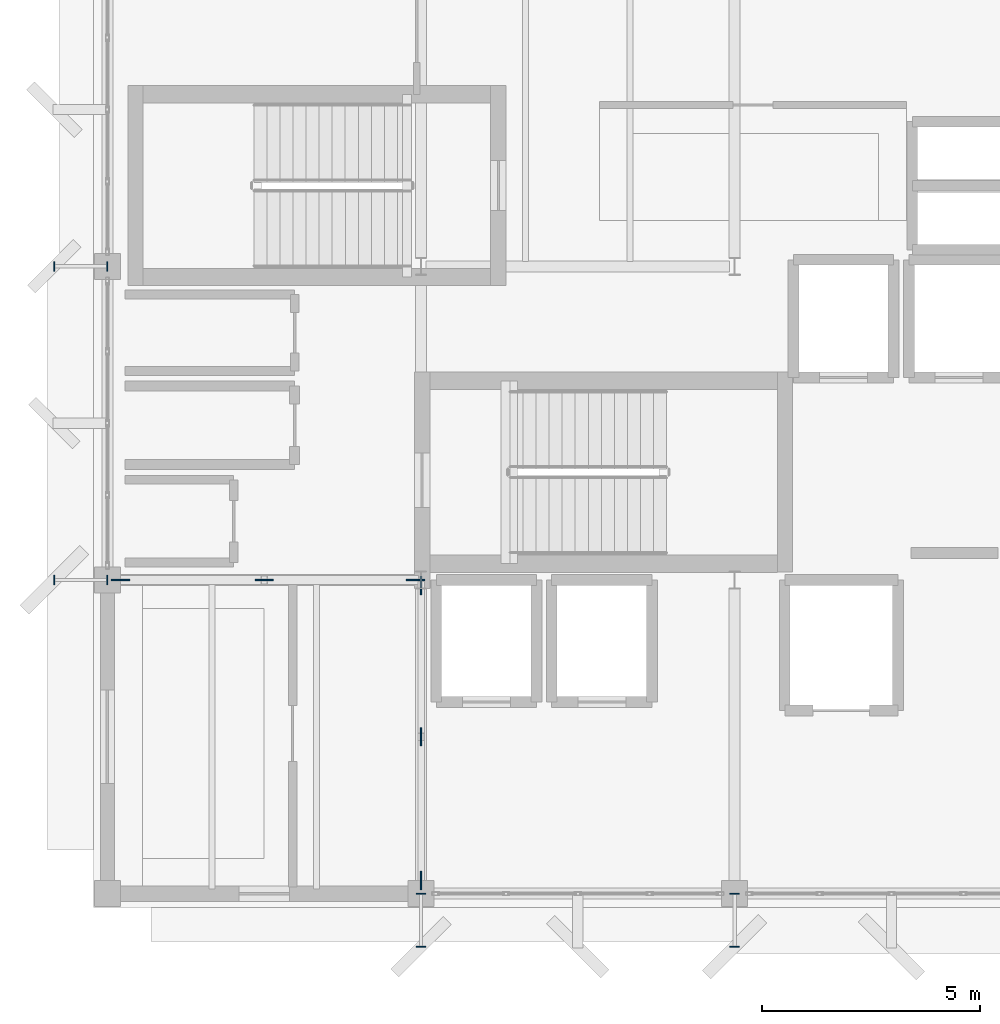
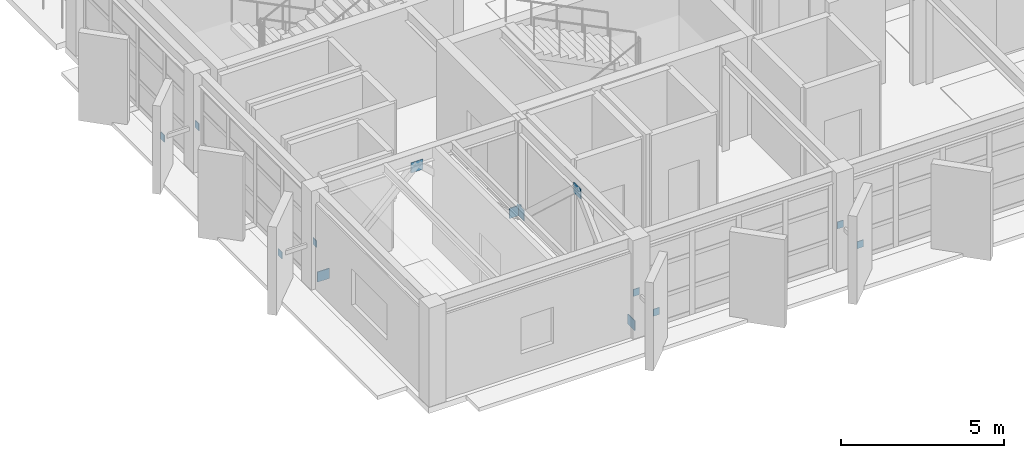
# One storey, part 13 of 16: 14 discrete accessories.
"""IFC4 building model written with IfcOpenShell, lengths in metres."""

from ifc_helpers import new_model, si_unit, direction, frame, origin, origin_2d, place, context, subcontext, project, spatial, rectangle, extrude, material, type_object, element, save


model = new_model("IFC4")

# Units and contexts
model_context = context("Model", 3, precision=1e-05, world=origin(), true_north=direction((0.0, 1.0)))
body_context = subcontext(model_context, "Body", "Model", "MODEL_VIEW")
ifc_project = project(units=[si_unit("LENGTHUNIT", "METRE"), si_unit("AREAUNIT", "SQUARE_METRE"), si_unit("VOLUMEUNIT", "CUBIC_METRE"), si_unit("PLANEANGLEUNIT", "RADIAN"), si_unit("MASSUNIT", "GRAM", prefix="KILO")], contexts=[model_context])

# Site, building, storey
site_placement = place(None, origin())
site = spatial("IfcSite", under=ifc_project, at=site_placement, CompositionType="ELEMENT")
building_placement = place(site_placement, origin())
building = spatial("IfcBuilding", under=site, at=building_placement, Name="Kandorven Conservatory and Botanical Research Centre", CompositionType="ELEMENT")
storey_placement = place(building_placement, frame((0.0, 0.0, 44.39990234375)))
storey = spatial("IfcBuildingStorey", under=building, at=storey_placement, Name="L11", CompositionType="ELEMENT", Elevation=44.39990234375)

# Discrete accessories
ifc_material_1 = material(Name="Steel S355 (IS 2062 E350)", Category="steel")
discrete_accessory_type_1 = type_object("IfcDiscreteAccessoryType", Name="BraceGussetPlate", PredefinedType="BRACKET", material=ifc_material_1)
for number, where, z_axis, x_axis, name in (
    (1, (6.300048828125, 13.199951171875, -0.009765625), (0.0, 0.0, 1.0), (1.0, 0.0, 0.0), "Welded chevron brace gusset plate L11 X-W"),
    (2, (9.60009765625, 13.199951171875, 2.91015625), (0.0, 0.0, 1.0), (1.0, 0.0, 0.0), "Welded chevron brace gusset plate L11 X-M"),
    (3, (13.074951171875, 13.199951171875, -0.009765625), (0.0, 0.0, 1.0), (1.0, 0.0, 0.0), "Welded chevron brace gusset plate L11 X-E"),
):
    element("IfcDiscreteAccessory", number, at=place(storey_placement, frame(where, z_axis=z_axis, x_axis=x_axis)), inside=storey, type_object=discrete_accessory_type_1, Name=name, PredefinedType="BRACKET", context=body_context, shape_type="SweptSolid", body=[
        extrude(rectangle(XDim=0.419921875, YDim=0.028076171875, at=origin_2d()), origin(), (0.0, 0.0, 1.0), 0.3798828125),
    ])
for number, where, z_axis, x_axis, name in (
    (4, (13.199951171875, 6.300048828125, -0.009765625), (0.0, 0.0, 1.0), (1.0, 0.0, 0.0), "Welded chevron brace gusset plate L11 Y-S"),
    (5, (13.199951171875, 9.60009765625, 2.91015625), (0.0, 0.0, 1.0), (1.0, 0.0, 0.0), "Welded chevron brace gusset plate L11 Y-M"),
    (6, (13.199951171875, 13.074951171875, -0.009765625), (0.0, 0.0, 1.0), (1.0, 0.0, 0.0), "Welded chevron brace gusset plate L11 Y-N"),
):
    element("IfcDiscreteAccessory", number, at=place(storey_placement, frame(where, z_axis=z_axis, x_axis=x_axis)), inside=storey, type_object=discrete_accessory_type_1, Name=name, PredefinedType="BRACKET", context=body_context, shape_type="SweptSolid", body=[
        extrude(rectangle(XDim=0.028076171875, YDim=0.419921875, at=origin_2d()), origin(), (0.0, 0.0, 1.0), 0.3798828125),
    ])
ifc_material_2 = material(Name="Steel S355 (IS 2062 E350)", Category="steel")
discrete_accessory_type_2 = type_object("IfcDiscreteAccessoryType", Name="SteelGussetPlate", PredefinedType="BRACKET", material=ifc_material_2)
for number, where, z_axis, x_axis, name in (
    (7, (13.199951171875, 6.0, 1.3701171875), (0.0, 0.0, 1.0), (1.0, 0.0, 0.0), "Welded steel strut end-plate GUS-01 #85A"),
    (8, (13.199951171875, 4.780029296875, 1.3701171875), (0.0, 0.0, 1.0), (1.0, 0.0, 0.0), "Welded steel strut end-plate GUS-01 #85B"),
    (9, (20.39990234375, 6.0, 1.3701171875), (0.0, 0.0, 1.0), (1.0, 0.0, 0.0), "Welded steel strut end-plate GUS-01 #87A"),
    (10, (20.39990234375, 4.780029296875, 1.3701171875), (0.0, 0.0, 1.0), (1.0, 0.0, 0.0), "Welded steel strut end-plate GUS-01 #87B"),
):
    element("IfcDiscreteAccessory", number, at=place(storey_placement, frame(where, z_axis=z_axis, x_axis=x_axis)), inside=storey, type_object=discrete_accessory_type_2, Name=name, PredefinedType="BRACKET", context=body_context, shape_type="SweptSolid", body=[
        extrude(rectangle(XDim=0.219970703125, YDim=0.02392578125, at=origin_2d()), origin(), (0.0, 0.0, 1.0), 0.260009765625),
    ])
for number, where, z_axis, x_axis, name in (
    (11, (6.0, 13.199951171875, 1.3701171875), (0.0, 0.0, 1.0), (1.0, 0.0, 0.0), "Welded steel strut end-plate GUS-01 #89A"),
    (12, (4.780029296875, 13.199951171875, 1.3701171875), (0.0, 0.0, 1.0), (1.0, 0.0, 0.0), "Welded steel strut end-plate GUS-01 #89B"),
    (13, (6.0, 20.39990234375, 1.3701171875), (0.0, 0.0, 1.0), (1.0, 0.0, 0.0), "Welded steel strut end-plate GUS-01 #91A"),
    (14, (4.780029296875, 20.39990234375, 1.3701171875), (0.0, 0.0, 1.0), (1.0, 0.0, 0.0), "Welded steel strut end-plate GUS-01 #91B"),
):
    element("IfcDiscreteAccessory", number, at=place(storey_placement, frame(where, z_axis=z_axis, x_axis=x_axis)), inside=storey, type_object=discrete_accessory_type_2, Name=name, PredefinedType="BRACKET", context=body_context, shape_type="SweptSolid", body=[
        extrude(rectangle(XDim=0.02392578125, YDim=0.219970703125, at=origin_2d()), origin(), (0.0, 0.0, 1.0), 0.260009765625),
    ])

save(model, "model.ifc")
